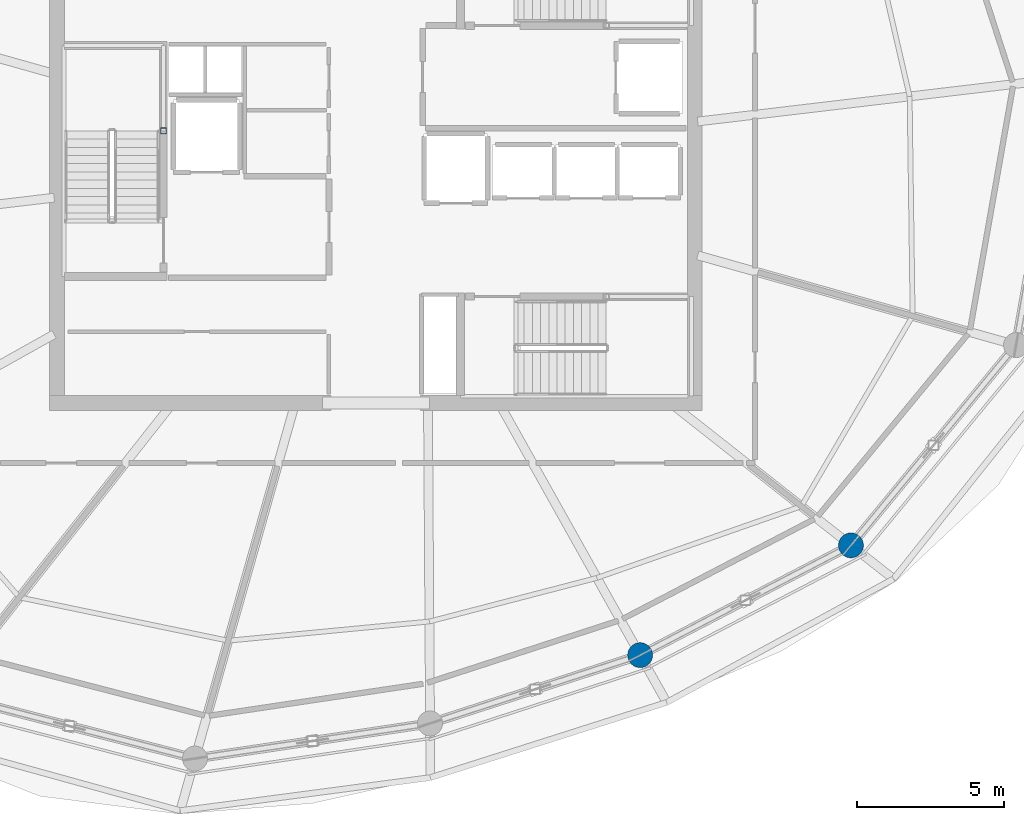
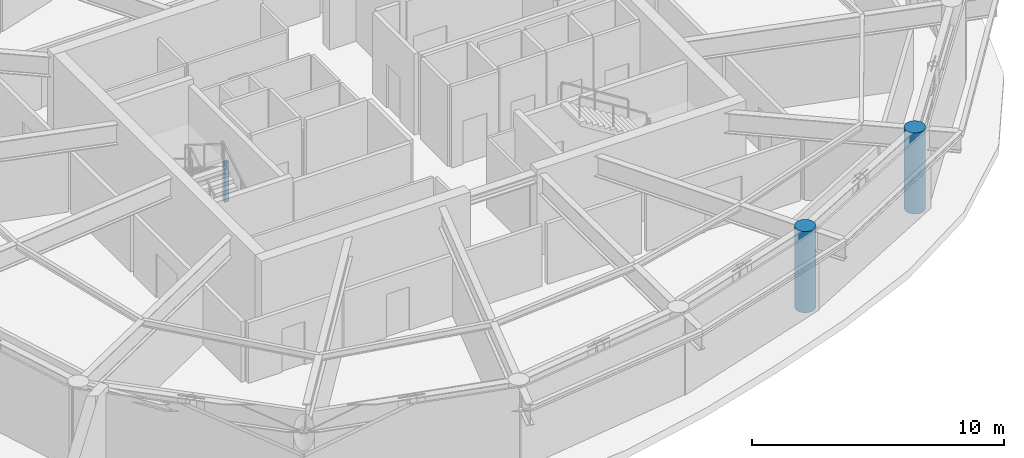
# One storey, part 2 of 14: 3 columns.
"""IFC4 building model written with IfcOpenShell, lengths in metres."""

from ifc_helpers import new_model, si_unit, direction, frame, origin, origin_2d, place, context, subcontext, project, spatial, hollow_rectangle, circle, extrude, material, material_profile, profile_set, type_object, element, save


model = new_model("IFC4")

# Units and contexts
model_context = context("Model", 3, precision=1e-05, world=origin(), true_north=direction((0.0, 1.0)))
body_context = subcontext(model_context, "Body", "Model", "MODEL_VIEW")
ifc_project = project(units=[si_unit("LENGTHUNIT", "METRE"), si_unit("AREAUNIT", "SQUARE_METRE"), si_unit("VOLUMEUNIT", "CUBIC_METRE"), si_unit("PLANEANGLEUNIT", "RADIAN"), si_unit("MASSUNIT", "GRAM", prefix="KILO")], contexts=[model_context])

# Site, building, storey
site_placement = place(None, origin())
site = spatial("IfcSite", under=ifc_project, at=site_placement, CompositionType="ELEMENT")
building_placement = place(site_placement, origin())
building = spatial("IfcBuilding", under=site, at=building_placement, Name="Kazma Halo Residences", CompositionType="ELEMENT")
storey_placement = place(building_placement, frame((0.0, 0.0, 343.10009765625)))
storey = spatial("IfcBuildingStorey", under=building, at=storey_placement, Name="L86", CompositionType="ELEMENT", Elevation=343.10009765625)

# Columns
ifc_material_1 = material(Name="Steel S355", Category="steel")
ifc_material_profile_1 = material_profile(ifc_material_1, hollow_rectangle(XDim=0.199951171875, YDim=0.199951171875, WallThickness=0.010009765625, InnerFilletRadius=0.010009765625, OuterFilletRadius=0.02001953125, at=origin_2d()), Name="SHS200x200x10")
ifc_profile_set_1 = profile_set([ifc_material_profile_1], Name="Steel S355")
column_type_1 = type_object("IfcColumnType", Name="COL-LP-SHS200", PredefinedType="COLUMN", material=ifc_profile_set_1)
column_placement = place(storey_placement, frame((41.179931640625, 43.030029296875, 0.0), z_axis=(0.0, 0.0, 1.0), x_axis=(1.0, 0.0, 0.0)))
element("IfcColumn", 1, at=column_placement, inside=storey, type_object=column_type_1, Name="L86 ST-01 landing pilaster 1", PredefinedType="COLUMN", context=body_context, shape_type="SweptSolid", body=[
    extrude(hollow_rectangle(XDim=0.199951171875, YDim=0.199951171875, WallThickness=0.010009765625, InnerFilletRadius=0.010009765625, OuterFilletRadius=0.02001953125, at=origin_2d()), origin(), (0.0, 0.0, 1.0), 1.89501953125),
])
ifc_material_2 = material(Name="Concrete C60/75", Category="concrete")
ifc_material_profile_2 = material_profile(ifc_material_2, circle(Radius=0.425048828125, at=origin_2d()), Name="CIRC850")
ifc_profile_set_2 = profile_set([ifc_material_profile_2], Name="Concrete C60/75")
column_type_2 = type_object("IfcColumnType", Name="COL-PERIM-850", PredefinedType="COLUMN", material=ifc_profile_set_2)
for number, where, z_axis, x_axis, name in (
    (2, (57.436767578125, 25.1494140625, 0.0), (0.0, 0.0, 1.0), (1.0, 0.0, 0.0), "L86 perimeter ring column P13"),
    (3, (64.626220703125, 28.89306640625, 0.0), (0.0, 0.0, 1.0), (1.0, 0.0, 0.0), "L86 perimeter ring column P14"),
):
    element("IfcColumn", number, at=place(storey_placement, frame(where, z_axis=z_axis, x_axis=x_axis)), inside=storey, type_object=column_type_2, Name=name, PredefinedType="COLUMN", context=body_context, shape_type="SweptSolid", body=[
        extrude(circle(Radius=0.425048828125, at=origin_2d()), origin(), (0.0, 0.0, 1.0), 3.93994140625),
    ])

save(model, "model.ifc")
